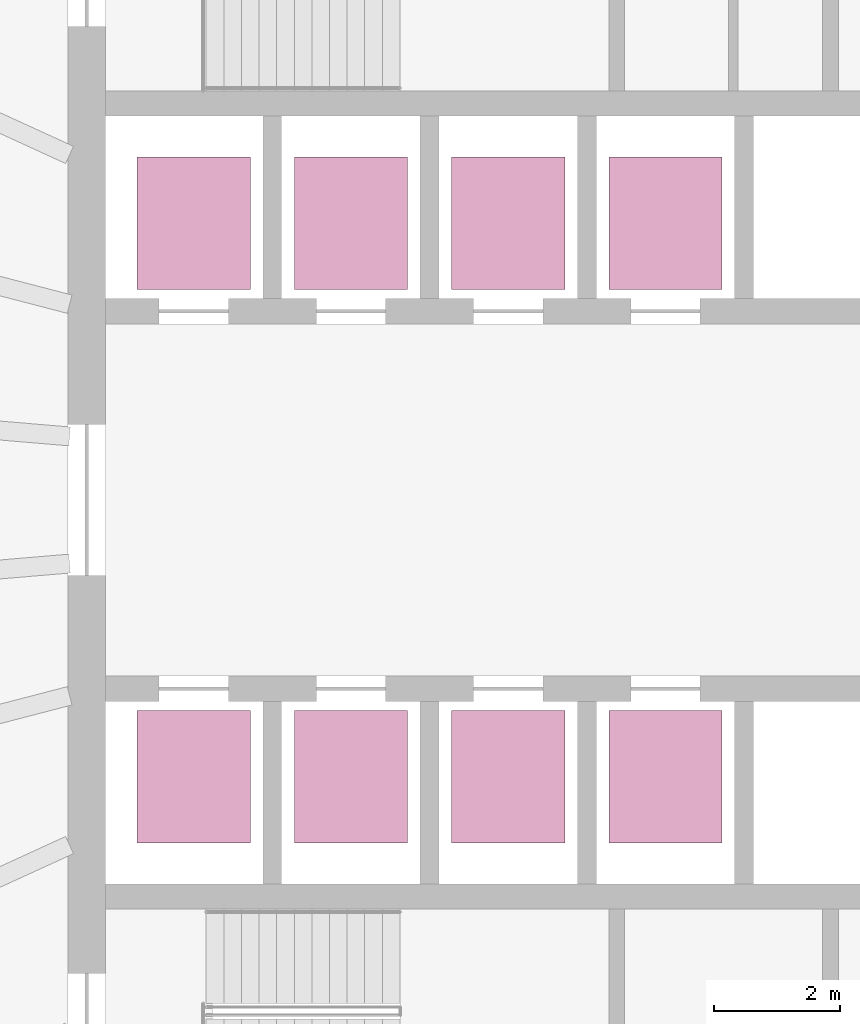
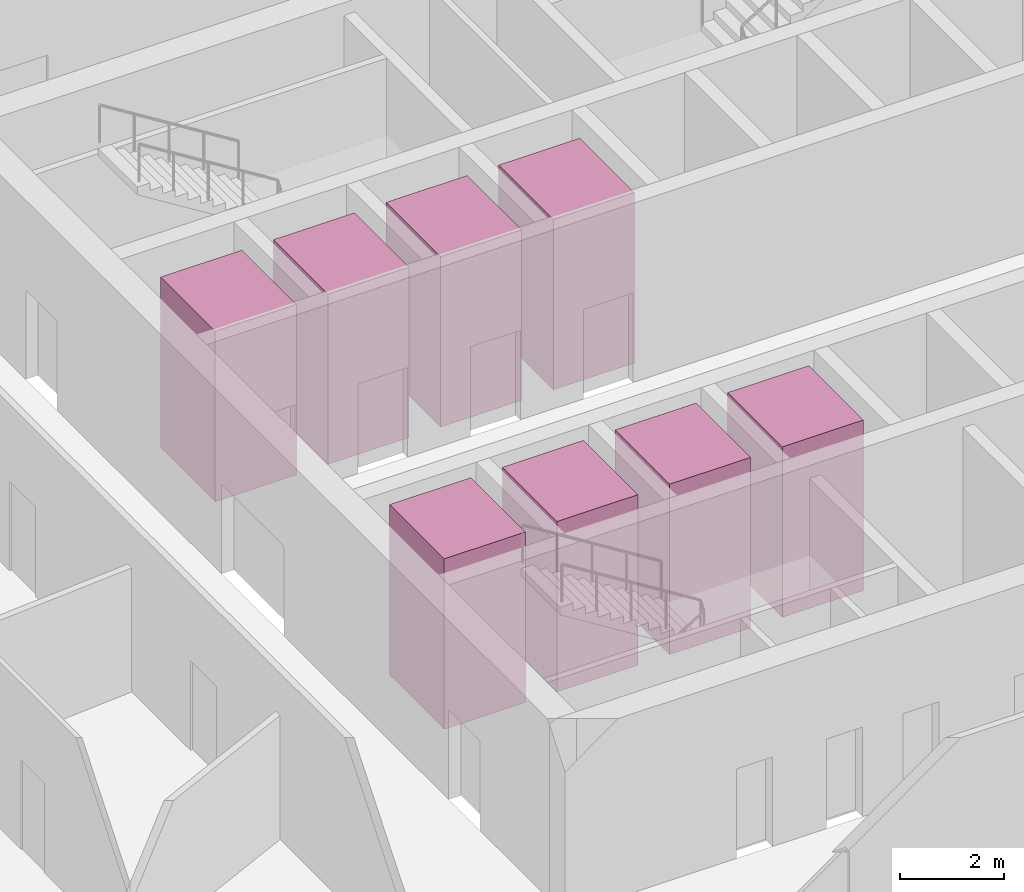
# One storey, part 10 of 10: 8 transport elements.
"""IFC4 building model written with IfcOpenShell, lengths in metres."""

from ifc_helpers import new_model, si_unit, direction, frame, origin, origin_2d, place, context, subcontext, project, spatial, rectangle, extrude, material, type_object, element, save


model = new_model("IFC4")

# Units and contexts
model_context = context("Model", 3, precision=1e-05, world=origin(), true_north=direction((0.0, 1.0)))
body_context = subcontext(model_context, "Body", "Model", "MODEL_VIEW")
ifc_project = project(units=[si_unit("LENGTHUNIT", "METRE"), si_unit("AREAUNIT", "SQUARE_METRE"), si_unit("VOLUMEUNIT", "CUBIC_METRE"), si_unit("PLANEANGLEUNIT", "RADIAN"), si_unit("MASSUNIT", "GRAM", prefix="KILO")], contexts=[model_context])

# Site, building, storey
site_placement = place(None, origin())
site = spatial("IfcSite", under=ifc_project, at=site_placement, CompositionType="ELEMENT")
building_placement = place(site_placement, origin())
building = spatial("IfcBuilding", under=site, at=building_placement, Name="Halqa Exchange Tower", CompositionType="ELEMENT")
storey_placement = place(building_placement, frame((0.0, 0.0, 121.300048828125)))
storey = spatial("IfcBuildingStorey", under=building, at=storey_placement, Name="L27", CompositionType="ELEMENT", Elevation=121.300048828125)

# Transport elements
ifc_material = material(Name="Stainless steel", Category="steel")
transport_element_type = type_object("IfcTransportElementType", Name="Low-rise passenger lift 1800 x 2100", PredefinedType="ELEVATOR", material=ifc_material)
for number, where, z_axis, x_axis, name in (
    (1, (-10.0, 4.39990234375, 0.0), (0.0, 0.0, 1.0), (1.0, 0.0, 0.0), "Low-rise passenger lift LR1"),
    (2, (-7.5, 4.39990234375, 0.0), (0.0, 0.0, 1.0), (1.0, 0.0, 0.0), "Low-rise passenger lift LR2"),
    (3, (-5.0, 4.39990234375, 0.0), (0.0, 0.0, 1.0), (1.0, 0.0, 0.0), "Low-rise passenger lift LR3"),
    (4, (-2.5, 4.39990234375, 0.0), (0.0, 0.0, 1.0), (1.0, 0.0, 0.0), "Low-rise passenger lift LR4"),
    (5, (-10.0, -4.39990234375, 0.0), (0.0, 0.0, 1.0), (1.0, 0.0, 0.0), "Low-rise passenger lift LR5"),
    (6, (-7.5, -4.39990234375, 0.0), (0.0, 0.0, 1.0), (1.0, 0.0, 0.0), "Low-rise passenger lift LR6"),
    (7, (-5.0, -4.39990234375, 0.0), (0.0, 0.0, 1.0), (1.0, 0.0, 0.0), "Low-rise passenger lift LR7"),
    (8, (-2.5, -4.39990234375, 0.0), (0.0, 0.0, 1.0), (1.0, 0.0, 0.0), "Low-rise passenger lift LR8"),
):
    element("IfcTransportElement", number, at=place(storey_placement, frame(where, z_axis=z_axis, x_axis=x_axis)), inside=storey, type_object=transport_element_type, Name=name, PredefinedType="ELEVATOR", context=body_context, shape_type="SweptSolid", body=[
        extrude(rectangle(XDim=1.800048828125, YDim=2.10009765625, at=origin_2d()), origin(), (0.0, 0.0, 1.0), 4.0),
    ])

save(model, "model.ifc")
